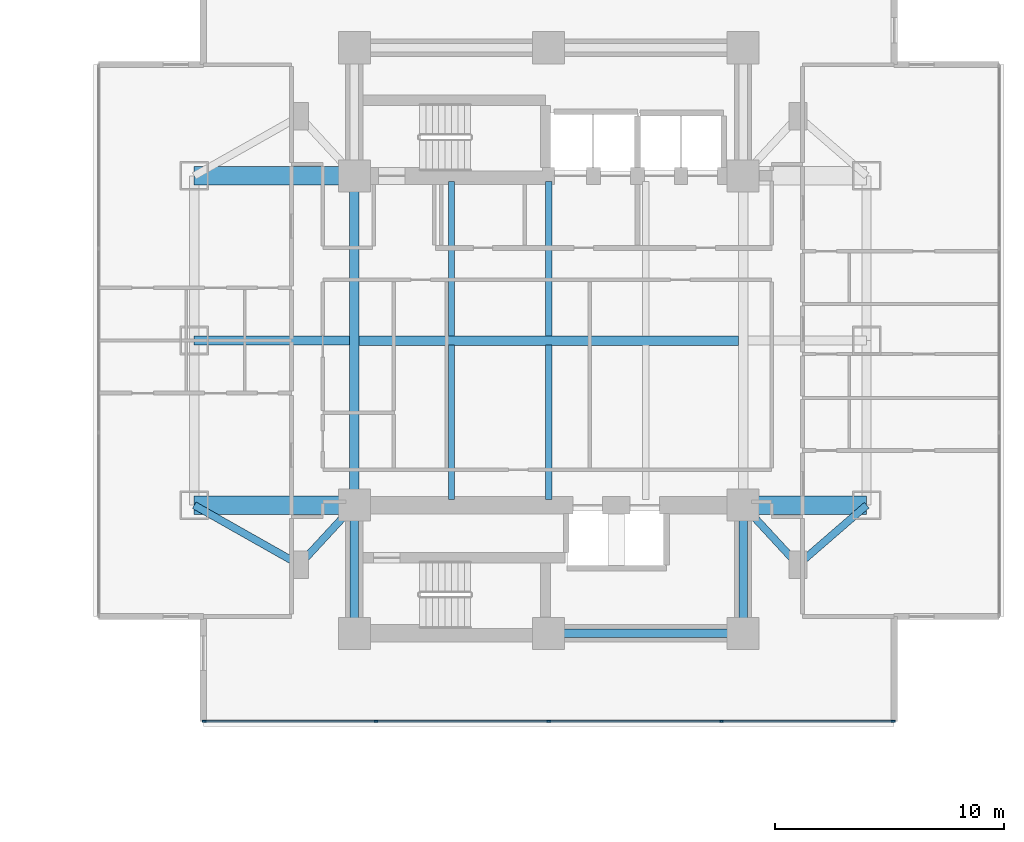
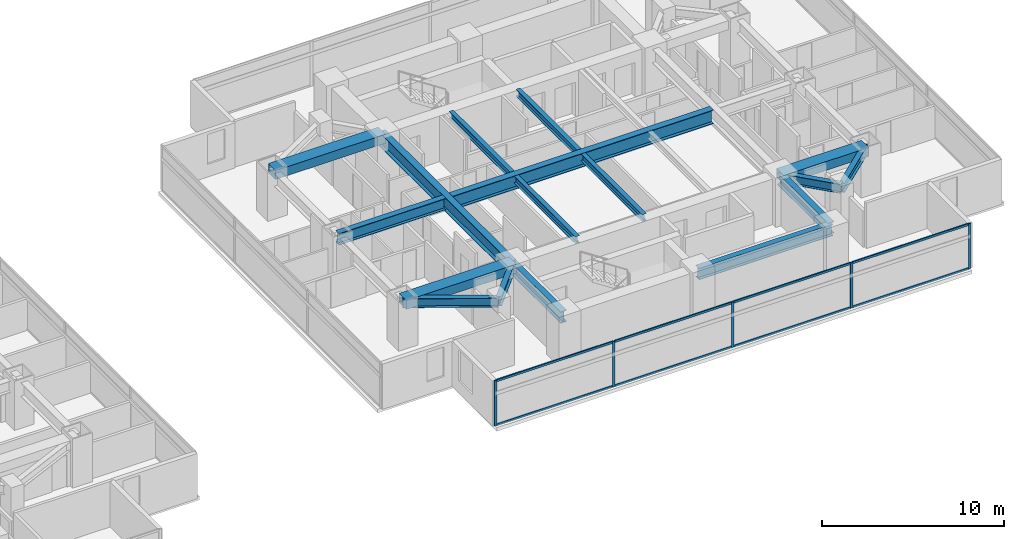
# One storey, part 9 of 26: 17 beams, 13 members, 1 element without a shape of its own.
"""IFC4 building model written with IfcOpenShell, lengths in metres."""

import ifcopenshell
import ifcopenshell.guid

model = None  # the IFC model being written
_history = None  # IfcOwnerHistory: only IFC2X3 demands one
_inside = {}  # id of a spatial element -> (the spatial element, [elements in it])
_under = {}  # id of a project, library or spatial element -> (it, [spatial elements below it])
_declared = {}  # id of a project -> (the project, [libraries it declares])
_typed = {}  # id of a type object -> (the type object, [elements of that type])
_made_of = {}  # id of a material, layer set ... -> (it, [elements and type objects made of it])


def new_model(schema):
    """Start an empty IFC model of exactly this schema.

    Asked for "IFC4X3", IfcOpenShell would pick the latest addendum, in which some entities
    have other attributes; the version numbers below select the first issue.
    IFC2X3 requires an IfcOwnerHistory on every rooted entity: one is made here for all.
    """
    global model, _history
    if schema == "IFC4X3":
        model = ifcopenshell.file(schema_version=(4, 3, 0, 0))
    else:
        model = ifcopenshell.file(schema=schema)
    _inside.clear()
    _under.clear()
    _declared.clear()
    _typed.clear()
    _made_of.clear()
    _history = None
    if model.schema == "IFC2X3":
        org = make("IfcOrganization", Name="unknown")
        user = make(
            "IfcPersonAndOrganization",
            ThePerson=make("IfcPerson", FamilyName="unknown"),
            TheOrganization=org,
        )
        app = make(
            "IfcApplication",
            ApplicationDeveloper=org,
            Version="unknown",
            ApplicationFullName="unknown",
            ApplicationIdentifier="unknown",
        )
        _history = make(
            "IfcOwnerHistory",
            OwningUser=user,
            OwningApplication=app,
            ChangeAction="ADDED",
            CreationDate=0,
        )
    return model


def make(cls, **values):
    """One entity of the class cls with the attributes given. An attribute that is None is left unset."""
    return model.create_entity(
        cls, **{name: value for name, value in values.items() if value is not None}
    )


def rooted(cls, **values):
    """An entity with a GlobalId (a new one), such as an element, a storey or a relation."""
    return make(cls, GlobalId=ifcopenshell.guid.new(), OwnerHistory=_history, **values)


def si_unit(unit_type, name, prefix=None):
    """IfcSIUnit, for example si_unit("LENGTHUNIT", "METRE", prefix="MILLI")."""
    return make("IfcSIUnit", UnitType=unit_type, Prefix=prefix, Name=name)


def assignment(units):
    """IfcUnitAssignment: the units of a project."""
    return None if units is None else make("IfcUnitAssignment", Units=units)


def point(xyz):
    """IfcCartesianPoint."""
    return None if xyz is None else make("IfcCartesianPoint", Coordinates=xyz)


def direction(xyz):
    """IfcDirection."""
    return None if xyz is None else make("IfcDirection", DirectionRatios=xyz)


def frame(location, z_axis=None, x_axis=None):
    """IfcAxis2Placement3D, a coordinate frame: its origin and axes. An axis left out is left unset."""
    return make(
        "IfcAxis2Placement3D",
        Location=point(location),
        Axis=direction(z_axis),
        RefDirection=direction(x_axis),
    )


def frame_2d(location, x_axis=None):
    """IfcAxis2Placement2D, a coordinate frame in the plane: its origin and x axis."""
    return make(
        "IfcAxis2Placement2D", Location=point(location), RefDirection=direction(x_axis)
    )


def origin():
    """The frame at (0, 0, 0) with its axes left unset."""
    return frame((0.0, 0.0, 0.0))


def origin_2d():
    """The frame at (0, 0) in the plane with its x axis left unset."""
    return frame_2d((0.0, 0.0))


def place(relative_to, where):
    """IfcLocalPlacement: puts the frame where relative to a parent placement (None: the world)."""
    return make(
        "IfcLocalPlacement", PlacementRelTo=relative_to, RelativePlacement=where
    )


def context(
    kind, dimensions, precision=None, world=None, true_north=None, identifier=None
):
    """IfcGeometricRepresentationContext, for example the 3D "Model" context."""
    return make(
        "IfcGeometricRepresentationContext",
        ContextIdentifier=identifier,
        ContextType=kind,
        CoordinateSpaceDimension=dimensions,
        Precision=precision,
        WorldCoordinateSystem=world,
        TrueNorth=true_north,
    )


def subcontext(parent, identifier, kind, view, scale=None):
    """IfcGeometricRepresentationSubContext, for example "Body" below "Model"."""
    return make(
        "IfcGeometricRepresentationSubContext",
        ContextIdentifier=identifier,
        ContextType=kind,
        ParentContext=parent,
        TargetScale=scale,
        TargetView=view,
    )


def project(units=None, contexts=None):
    """IfcProject with its units and contexts."""
    return rooted(
        "IfcProject",
        Name="project",
        RepresentationContexts=contexts,
        UnitsInContext=assignment(units),
    )


def spatial(cls, under=None, at=None, **own):
    """A site, building, storey or space (cls), placed at a placement, below another one or the project."""
    s = rooted(cls, ObjectPlacement=at, **own)
    if under is not None:
        _under.setdefault(under.id(), (under, []))[1].append(s)
    return s


def profile(cls, at=None, kind="AREA", **sizes):
    """A parametric profile (cls). Its sizes go by their IFC names, for example OverallWidth=200.0."""
    return make(cls, ProfileType=kind, Position=at, **sizes)


def rectangle(**sizes):
    """IfcRectangleProfileDef."""
    return profile("IfcRectangleProfileDef", **sizes)


def i_section(**sizes):
    """IfcIShapeProfileDef."""
    return profile("IfcIShapeProfileDef", **sizes)


def extrude(swept, where, along, depth):
    """IfcExtrudedAreaSolid: the profile swept, set in the frame where, extruded along a direction by depth."""
    return make(
        "IfcExtrudedAreaSolid",
        SweptArea=swept,
        Position=where,
        ExtrudedDirection=direction(along),
        Depth=depth,
    )


def shape(context_of_items, identifier, shape_type, items):
    """IfcShapeRepresentation: the items that make up one representation, for example the "Body"."""
    return make(
        "IfcShapeRepresentation",
        ContextOfItems=context_of_items,
        RepresentationIdentifier=identifier,
        RepresentationType=shape_type,
        Items=items,
    )


def material(Name=None, Category=None):
    """IfcMaterial."""
    return make("IfcMaterial", Name=Name, Category=Category)


def material_profile(
    of_material, cross_section, Name=None, Category=None, Priority=None
):
    """IfcMaterialProfile: a cross section and its material."""
    return make(
        "IfcMaterialProfile",
        Name=Name,
        Material=of_material,
        Profile=cross_section,
        Priority=Priority,
        Category=Category,
    )


def profile_set(profiles, Name=None, composite=None):
    """IfcMaterialProfileSet."""
    return make(
        "IfcMaterialProfileSet",
        Name=Name,
        MaterialProfiles=profiles,
        CompositeProfile=composite,
    )


def made_of(thing, what):
    """Note that an element or type object is made of a material, layer set ...; save() writes the relation."""
    if what is not None:
        _made_of.setdefault(what.id(), (what, []))[1].append(thing)
    return thing


def type_object(cls, material=None, **own):
    """A type object (cls), such as IfcWallType, which elements share."""
    return made_of(rooted(cls, **own), material)


def element(
    cls,
    number,
    at=None,
    inside=None,
    cuts=None,
    type_object=None,
    material=None,
    context=None,
    identifier="Body",
    shape_type=None,
    held_by="IfcProductDefinitionShape",
    body=None,
    shapes=None,
    **own,
):
    """One element of the class cls, such as IfcWall. Its Tag is "e" and its number.

    at: its placement. inside: the storey or other place that contains it. cuts: it is an
    opening in that element (IfcRelVoidsElement). A single representation is given by context,
    identifier, shape_type and body (its items); several are given by shapes. held_by: the class
    of the entity that holds the representations. save() writes the other relations.
    """
    e = rooted(cls, Tag="e%d" % number, ObjectPlacement=at, **own)
    if body is not None:
        shapes = [shape(context, identifier, shape_type, body)]
    if shapes is not None:
        e.Representation = make(held_by, Representations=shapes)
    if inside is not None:
        _inside.setdefault(inside.id(), (inside, []))[1].append(e)
    if cuts is not None:
        rooted(
            "IfcRelVoidsElement", RelatingBuildingElement=cuts, RelatedOpeningElement=e
        )
    if type_object is not None:
        _typed.setdefault(type_object.id(), (type_object, []))[1].append(e)
    return made_of(e, material)


def aggregate(whole, parts):
    """IfcRelAggregates: a whole, such as a stair, and the parts it consists of."""
    return rooted("IfcRelAggregates", RelatingObject=whole, RelatedObjects=parts)


def save(model, path):
    """Write the relations noted so far, then the file.

    IfcRelAggregates (storeys below a building ...), IfcRelContainedInSpatialStructure (elements
    in a storey), IfcRelDefinesByType, IfcRelAssociatesMaterial and IfcRelDeclares: one each for
    every whole, place, type object, material and project.
    """
    for whole, parts in _under.values():
        aggregate(whole, parts)
    for where, things in _inside.values():
        rooted(
            "IfcRelContainedInSpatialStructure",
            RelatedElements=things,
            RelatingStructure=where,
        )
    for kind, things in _typed.values():
        rooted("IfcRelDefinesByType", RelatedObjects=things, RelatingType=kind)
    for what, things in _made_of.values():
        rooted("IfcRelAssociatesMaterial", RelatedObjects=things, RelatingMaterial=what)
    for by, libraries in _declared.values():
        rooted("IfcRelDeclares", RelatingContext=by, RelatedDefinitions=libraries)
    model.write(path)


model = new_model("IFC4")

# Units and contexts
model_context = context("Model", 3, precision=1e-05, world=origin(), true_north=direction((0.0, 1.0)))
body_context = subcontext(model_context, "Body", "Model", "MODEL_VIEW")
ifc_project = project(units=[si_unit("LENGTHUNIT", "METRE"), si_unit("AREAUNIT", "SQUARE_METRE"), si_unit("VOLUMEUNIT", "CUBIC_METRE"), si_unit("PLANEANGLEUNIT", "RADIAN"), si_unit("MASSUNIT", "GRAM", prefix="KILO")], contexts=[model_context])

# Site, building, storey
site_placement = place(None, origin())
site = spatial("IfcSite", under=ifc_project, at=site_placement, CompositionType="ELEMENT")
building_placement = place(site_placement, origin())
building = spatial("IfcBuilding", under=site, at=building_placement, Name="Mirazonda Arch Towers", CompositionType="ELEMENT")
storey_placement = place(building_placement, frame((0.0, 0.0, 48.800048828125)))
storey = spatial("IfcBuildingStorey", under=building, at=storey_placement, Name="L13", CompositionType="ELEMENT", Elevation=48.800048828125)

# Beams
ifc_material_1 = material(Name="Steel ASTM A992 Grade 50", Category="steel")
ifc_material_profile_1 = material_profile(ifc_material_1, i_section(OverallWidth=0.280029296875, OverallDepth=0.462890625, WebThickness=0.0107421875, FlangeThickness=0.017333984375, at=origin_2d()), Name="W18X76")
ifc_profile_set_1 = profile_set([ifc_material_profile_1], Name="Steel ASTM A992 Grade 50")
beam_type_1 = type_object("IfcBeamType", Name="BM-INT-W18X76", PredefinedType="JOIST", material=ifc_profile_set_1)
for number, where, z_axis, x_axis, name in (
    (1, (72.25, 21.0400390625, 2.828369140625), (0.0, 1.0, 0.0), (-1.0, 0.0, 0.0), "L13 Floor Beam BM-T2-L13-J-722-20"),
    (2, (72.25, 28.205078125, 2.828369140625), (0.0, 1.0, 0.0), (-1.0, 0.0, 0.0), "L13 Floor Beam BM-T2-L13-J-722-28"),
    (3, (76.5, 21.0400390625, 2.828369140625), (0.0, 1.0, 0.0), (-1.0, 0.0, 0.0), "L13 Floor Beam BM-T2-L13-J-765-20"),
    (4, (76.5, 28.205078125, 2.828369140625), (0.0, 1.0, 0.0), (-1.0, 0.0, 0.0), "L13 Floor Beam BM-T2-L13-J-765-28"),
):
    element("IfcBeam", number, at=place(storey_placement, frame(where, z_axis=z_axis, x_axis=x_axis)), inside=storey, type_object=beam_type_1, Name=name, PredefinedType="JOIST", context=body_context, shape_type="SweptSolid", body=[
        extrude(i_section(OverallWidth=0.280029296875, OverallDepth=0.462890625, WebThickness=0.0107421875, FlangeThickness=0.017333984375, at=origin_2d()), origin(), (0.0, 0.0, 1.0), 6.7548828125),
    ])
ifc_material_profile_2 = material_profile(ifc_material_1, i_section(OverallWidth=0.324951171875, OverallDepth=0.615966796875, WebThickness=0.013916015625, FlangeThickness=0.021484375, at=origin_2d()), Name="W24X117")
ifc_profile_set_2 = profile_set([ifc_material_profile_2], Name="Steel ASTM A992 Grade 50")
beam_type_2 = type_object("IfcBeamType", Name="BM-INT-W24X117", PredefinedType="BEAM", material=ifc_profile_set_2)
beam_1_placement = place(storey_placement, frame((65.60009765625, 18.199951171875, 2.751953125), z_axis=(0.678251444854, 0.734829897019, 0.0), x_axis=(-0.734829897019, 0.678251444854, 0.0)))
element("IfcBeam", 5, at=beam_1_placement, inside=storey, type_object=beam_type_2, Name="L13 Floor Beam BM-T2-L13-PL-SW1", PredefinedType="BEAM", context=body_context, shape_type="SweptSolid", body=[
    extrude(i_section(OverallWidth=0.324951171875, OverallDepth=0.615966796875, WebThickness=0.013916015625, FlangeThickness=0.021484375, at=origin_2d()), origin(), (0.0, 0.0, 1.0), 3.538330078125),
])
beam_2_placement = place(storey_placement, frame((65.60009765625, 18.199951171875, 2.751953125), z_axis=(-0.870559396632, 0.492063346467, 0.0), x_axis=(-0.492063346467, -0.870559396632, 0.0)))
element("IfcBeam", 6, at=beam_2_placement, inside=storey, type_object=beam_type_2, Name="L13 Floor Beam BM-T2-L13-PL-SW2", PredefinedType="BEAM", context=body_context, shape_type="SweptSolid", body=[
    extrude(i_section(OverallWidth=0.324951171875, OverallDepth=0.615966796875, WebThickness=0.013916015625, FlangeThickness=0.021484375, at=origin_2d()), origin(), (0.0, 0.0, 1.0), 5.2841796875),
])
beam_3_placement = place(storey_placement, frame((87.39990234375, 18.199951171875, 2.751953125), z_axis=(-0.678251444854, 0.734829897019, 0.0), x_axis=(-0.734829897019, -0.678251444854, 0.0)))
element("IfcBeam", 7, at=beam_3_placement, inside=storey, type_object=beam_type_2, Name="L13 Floor Beam BM-T2-L13-PL-SE1", PredefinedType="BEAM", context=body_context, shape_type="SweptSolid", body=[
    extrude(i_section(OverallWidth=0.324951171875, OverallDepth=0.615966796875, WebThickness=0.013916015625, FlangeThickness=0.021484375, at=origin_2d()), origin(), (0.0, 0.0, 1.0), 3.538330078125),
])
beam_4_placement = place(storey_placement, frame((87.39990234375, 18.199951171875, 2.751953125), z_axis=(0.755676908098, 0.654944585876, 0.0), x_axis=(-0.654944585876, 0.755676908098, 0.0)))
element("IfcBeam", 8, at=beam_4_placement, inside=storey, type_object=beam_type_2, Name="L13 Floor Beam BM-T2-L13-PL-SE2", PredefinedType="BEAM", context=body_context, shape_type="SweptSolid", body=[
    extrude(i_section(OverallWidth=0.324951171875, OverallDepth=0.615966796875, WebThickness=0.013916015625, FlangeThickness=0.021484375, at=origin_2d()), origin(), (0.0, 0.0, 1.0), 3.969970703125),
])
ifc_material_profile_3 = material_profile(ifc_material_1, i_section(OverallWidth=0.381103515625, OverallDepth=0.77294921875, WebThickness=0.0166015625, FlangeThickness=0.027099609375, at=origin_2d()), Name="W30X173")
ifc_profile_set_3 = profile_set([ifc_material_profile_3], Name="Steel ASTM A992 Grade 50")
beam_type_3 = type_object("IfcBeamType", Name="BM-INT-W30X173", PredefinedType="USERDEFINED", material=ifc_profile_set_3)
beam_5_placement = place(storey_placement, frame((76.5, 15.199951171875, 2.67333984375), z_axis=(1.0, 0.0, 0.0), x_axis=(0.0, 1.0, 0.0)))
element("IfcBeam", 9, at=beam_5_placement, inside=storey, type_object=beam_type_3, Name="L13 Floor Beam BM-T2-L13-CS2", ObjectType="GIRDER", PredefinedType="USERDEFINED", context=body_context, shape_type="SweptSolid", body=[
    extrude(i_section(OverallWidth=0.381103515625, OverallDepth=0.77294921875, WebThickness=0.0166015625, FlangeThickness=0.027099609375, at=origin_2d()), origin(), (0.0, 0.0, 1.0), 8.5),
])
for number, where, z_axis, x_axis, name in (
    (10, (68.0, 15.199951171875, 2.67333984375), (0.0, 1.0, 0.0), (-1.0, 0.0, 0.0), "L13 Floor Beam BM-T2-L13-CSW"),
    (11, (85.0, 15.199951171875, 2.67333984375), (0.0, 1.0, 0.0), (-1.0, 0.0, 0.0), "L13 Floor Beam BM-T2-L13-CSE"),
):
    element("IfcBeam", number, at=place(storey_placement, frame(where, z_axis=z_axis, x_axis=x_axis)), inside=storey, type_object=beam_type_3, Name=name, ObjectType="GIRDER", PredefinedType="USERDEFINED", context=body_context, shape_type="SweptSolid", body=[
        extrude(i_section(OverallWidth=0.381103515625, OverallDepth=0.77294921875, WebThickness=0.0166015625, FlangeThickness=0.027099609375, at=origin_2d()), origin(), (0.0, 0.0, 1.0), 5.60009765625),
    ])
beam_6_placement = place(storey_placement, frame((61.0, 28.0, 2.67333984375), z_axis=(1.0, 0.0, 0.0), x_axis=(0.0, 1.0, 0.0)))
element("IfcBeam", 12, at=beam_6_placement, inside=storey, type_object=beam_type_3, Name="L13 Floor Beam BM-T2-L13-GW2", ObjectType="GIRDER", PredefinedType="USERDEFINED", context=body_context, shape_type="SweptSolid", body=[
    extrude(i_section(OverallWidth=0.381103515625, OverallDepth=0.77294921875, WebThickness=0.0166015625, FlangeThickness=0.027099609375, at=origin_2d()), origin(), (0.0, 0.0, 1.0), 6.791015625),
])
ifc_material_profile_4 = material_profile(ifc_material_1, i_section(OverallWidth=0.41796875, OverallDepth=0.927001953125, WebThickness=0.019287109375, FlangeThickness=0.031982421875, at=origin_2d()), Name="W36X231")
ifc_profile_set_4 = profile_set([ifc_material_profile_4], Name="Steel ASTM A992 Grade 50")
beam_type_4 = type_object("IfcBeamType", Name="BM-INT-W36X231", PredefinedType="USERDEFINED", material=ifc_profile_set_4)
beam_7_placement = place(storey_placement, frame((68.208984375, 28.0, 2.596435546875), z_axis=(1.0, 0.0, 0.0), x_axis=(0.0, 1.0, 0.0)))
element("IfcBeam", 13, at=beam_7_placement, inside=storey, type_object=beam_type_4, Name="L13 Floor Beam BM-T2-L13-GC2", ObjectType="GIRDER", PredefinedType="USERDEFINED", context=body_context, shape_type="SweptSolid", body=[
    extrude(i_section(OverallWidth=0.41796875, OverallDepth=0.927001953125, WebThickness=0.019287109375, FlangeThickness=0.031982421875, at=origin_2d()), origin(), (0.0, 0.0, 1.0), 16.58203125),
])
beam_8_placement = place(storey_placement, frame((68.0, 20.800048828125, 2.596435546875), z_axis=(0.0, 1.0, 0.0), x_axis=(-1.0, 0.0, 0.0)))
element("IfcBeam", 14, at=beam_8_placement, inside=storey, type_object=beam_type_4, Name="L13 Floor Beam BM-T2-L13-NS-CW-FULL", ObjectType="GIRDER", PredefinedType="USERDEFINED", context=body_context, shape_type="SweptSolid", body=[
    extrude(i_section(OverallWidth=0.41796875, OverallDepth=0.927001953125, WebThickness=0.019287109375, FlangeThickness=0.031982421875, at=origin_2d()), origin(), (0.0, 0.0, 1.0), 14.39990234375),
])
ifc_material_2 = material(Name="Concrete C60/75", Category="concrete")
ifc_material_profile_5 = material_profile(ifc_material_2, rectangle(XDim=0.800048828125, YDim=0.60009765625, at=origin_2d()), Name="RCCB800x600")
ifc_profile_set_5 = profile_set([ifc_material_profile_5], Name="Concrete C60/75")
beam_type_5 = type_object("IfcBeamType", Name="CB-INT-RCCB800x600", PredefinedType="SPANDREL", material=ifc_profile_set_5)
for number, where, z_axis, x_axis, name in (
    (15, (61.0, 35.199951171875, 2.760009765625), (1.0, 0.0, 0.0), (0.0, 1.0, 0.0), "L13 Floor Beam CBC-T2-L13-NW"),
    (16, (61.0, 20.800048828125, 2.760009765625), (1.0, 0.0, 0.0), (0.0, 1.0, 0.0), "L13 Floor Beam CBC-T2-L13-SW"),
):
    element("IfcBeam", number, at=place(storey_placement, frame(where, z_axis=z_axis, x_axis=x_axis)), inside=storey, type_object=beam_type_5, Name=name, PredefinedType="SPANDREL", context=body_context, shape_type="SweptSolid", body=[
        extrude(rectangle(XDim=0.800048828125, YDim=0.60009765625, at=origin_2d()), origin(), (0.0, 0.0, 1.0), 7.0),
    ])
beam_9_placement = place(storey_placement, frame((85.0, 20.800048828125, 2.760009765625), z_axis=(1.0, 0.0, 0.0), x_axis=(0.0, 1.0, 0.0)))
element("IfcBeam", 17, at=beam_9_placement, inside=storey, type_object=beam_type_5, Name="L13 Floor Beam CBC-T2-L13-SE", PredefinedType="SPANDREL", context=body_context, shape_type="SweptSolid", body=[
    extrude(rectangle(XDim=0.800048828125, YDim=0.60009765625, at=origin_2d()), origin(), (0.0, 0.0, 1.0), 5.39990234375),
])

# Curtain wall, members
ifc_material_3 = material(Name="Anodised Aluminium and Low-E Glass", Category="aluminium")
curtain_wall_type = type_object("IfcCurtainWallType", Name="CW-HTL-UNIT", PredefinedType="NOTDEFINED", material=ifc_material_3)
curtain_wall_placement = place(storey_placement, origin())
curtain_wall = element("IfcCurtainWall", 18, at=curtain_wall_placement, inside=storey, type_object=curtain_wall_type, Name="L13 T2 S Facade CW-L13-T2-S", PredefinedType="NOTDEFINED")
ifc_material_4 = material(Name="Anodised Aluminium Alloy", Category="aluminium")
ifc_material_profile_6 = material_profile(ifc_material_4, rectangle(XDim=0.074951171875, YDim=0.1650390625, at=origin_2d()), Name="ALU-MULL-75x165")
ifc_profile_set_6 = profile_set([ifc_material_profile_6], Name="Anodised Aluminium Alloy")
member_type_1 = type_object("IfcMemberType", Name="MULL-CW-HTL-UNIT", PredefinedType="MULLION", material=ifc_profile_set_6)
member_1_placement = place(storey_placement, frame((91.56640625, 11.353515625, 0.0), z_axis=(0.0, 0.0, 1.0), x_axis=(0.0, -1.0, 0.0)))
member_1 = element("IfcMember", 19, at=member_1_placement, type_object=member_type_1, Name="CW-112 mullion 1", PredefinedType="MULLION", context=body_context, shape_type="SweptSolid", body=[
    extrude(rectangle(XDim=0.074951171875, YDim=0.1650390625, at=origin_2d()), origin(), (0.0, 0.0, 1.0), 3.0400390625),
])
member_2_placement = place(storey_placement, frame((84.052001953125, 11.353515625, 0.0), z_axis=(0.0, 0.0, 1.0), x_axis=(0.0, -1.0, 0.0)))
member_2 = element("IfcMember", 20, at=member_2_placement, type_object=member_type_1, Name="CW-112 mullion 2", PredefinedType="MULLION", context=body_context, shape_type="SweptSolid", body=[
    extrude(rectangle(XDim=0.074951171875, YDim=0.1650390625, at=origin_2d()), origin(), (0.0, 0.0, 1.0), 3.0400390625),
])
member_3_placement = place(storey_placement, frame((76.5, 11.353515625, 0.0), z_axis=(0.0, 0.0, 1.0), x_axis=(0.0, -1.0, 0.0)))
member_3 = element("IfcMember", 21, at=member_3_placement, type_object=member_type_1, Name="CW-112 mullion 3", PredefinedType="MULLION", context=body_context, shape_type="SweptSolid", body=[
    extrude(rectangle(XDim=0.074951171875, YDim=0.1650390625, at=origin_2d()), origin(), (0.0, 0.0, 1.0), 3.0400390625),
])
member_4_placement = place(storey_placement, frame((68.947998046875, 11.353515625, 0.0), z_axis=(0.0, 0.0, 1.0), x_axis=(0.0, -1.0, 0.0)))
member_4 = element("IfcMember", 22, at=member_4_placement, type_object=member_type_1, Name="CW-112 mullion 4", PredefinedType="MULLION", context=body_context, shape_type="SweptSolid", body=[
    extrude(rectangle(XDim=0.074951171875, YDim=0.1650390625, at=origin_2d()), origin(), (0.0, 0.0, 1.0), 3.0400390625),
])
member_5_placement = place(storey_placement, frame((61.43359375, 11.353515625, 0.0), z_axis=(0.0, 0.0, 1.0), x_axis=(0.0, -1.0, 0.0)))
member_5 = element("IfcMember", 23, at=member_5_placement, type_object=member_type_1, Name="CW-112 mullion 5", PredefinedType="MULLION", context=body_context, shape_type="SweptSolid", body=[
    extrude(rectangle(XDim=0.074951171875, YDim=0.1650390625, at=origin_2d()), origin(), (0.0, 0.0, 1.0), 3.0400390625),
])
ifc_material_profile_7 = material_profile(ifc_material_4, rectangle(XDim=0.074951171875, YDim=0.14501953125, at=origin_2d()), Name="ALU-TRAN-75x145")
ifc_profile_set_7 = profile_set([ifc_material_profile_7], Name="Anodised Aluminium Alloy")
member_type_2 = type_object("IfcMemberType", Name="TRAN-CW-HTL-UNIT", PredefinedType="USERDEFINED", material=ifc_profile_set_7)
member_6_placement = place(storey_placement, frame((91.529052734375, 11.353515625, 0.037353515625), z_axis=(-1.0, 0.0, 0.0), x_axis=(0.0, -1.0, 0.0)))
member_6 = element("IfcMember", 24, at=member_6_placement, type_object=member_type_2, Name="CW-112 transom 1.1", ObjectType="TRANSOM", PredefinedType="USERDEFINED", context=body_context, shape_type="SweptSolid", body=[
    extrude(rectangle(XDim=0.074951171875, YDim=0.14501953125, at=origin_2d()), origin(), (0.0, 0.0, 1.0), 7.439453125),
])
member_7_placement = place(storey_placement, frame((91.529052734375, 11.353515625, 3.00244140625), z_axis=(-1.0, 0.0, 0.0), x_axis=(0.0, -1.0, 0.0)))
member_7 = element("IfcMember", 25, at=member_7_placement, type_object=member_type_2, Name="CW-112 transom 1.2", ObjectType="TRANSOM", PredefinedType="USERDEFINED", context=body_context, shape_type="SweptSolid", body=[
    extrude(rectangle(XDim=0.074951171875, YDim=0.14501953125, at=origin_2d()), origin(), (0.0, 0.0, 1.0), 7.439453125),
])
member_8_placement = place(storey_placement, frame((84.014404296875, 11.353515625, 0.037353515625), z_axis=(-1.0, 0.0, 0.0), x_axis=(0.0, -1.0, 0.0)))
member_8 = element("IfcMember", 26, at=member_8_placement, type_object=member_type_2, Name="CW-112 transom 2.1", ObjectType="TRANSOM", PredefinedType="USERDEFINED", context=body_context, shape_type="SweptSolid", body=[
    extrude(rectangle(XDim=0.074951171875, YDim=0.14501953125, at=origin_2d()), origin(), (0.0, 0.0, 1.0), 7.476806640625),
])
member_9_placement = place(storey_placement, frame((84.014404296875, 11.353515625, 3.00244140625), z_axis=(-1.0, 0.0, 0.0), x_axis=(0.0, -1.0, 0.0)))
member_9 = element("IfcMember", 27, at=member_9_placement, type_object=member_type_2, Name="CW-112 transom 2.2", ObjectType="TRANSOM", PredefinedType="USERDEFINED", context=body_context, shape_type="SweptSolid", body=[
    extrude(rectangle(XDim=0.074951171875, YDim=0.14501953125, at=origin_2d()), origin(), (0.0, 0.0, 1.0), 7.476806640625),
])
member_10_placement = place(storey_placement, frame((76.46240234375, 11.353515625, 0.037353515625), z_axis=(-1.0, 0.0, 0.0), x_axis=(0.0, -1.0, 0.0)))
member_10 = element("IfcMember", 28, at=member_10_placement, type_object=member_type_2, Name="CW-112 transom 3.1", ObjectType="TRANSOM", PredefinedType="USERDEFINED", context=body_context, shape_type="SweptSolid", body=[
    extrude(rectangle(XDim=0.074951171875, YDim=0.14501953125, at=origin_2d()), origin(), (0.0, 0.0, 1.0), 7.476806640625),
])
member_11_placement = place(storey_placement, frame((76.46240234375, 11.353515625, 3.00244140625), z_axis=(-1.0, 0.0, 0.0), x_axis=(0.0, -1.0, 0.0)))
member_11 = element("IfcMember", 29, at=member_11_placement, type_object=member_type_2, Name="CW-112 transom 3.2", ObjectType="TRANSOM", PredefinedType="USERDEFINED", context=body_context, shape_type="SweptSolid", body=[
    extrude(rectangle(XDim=0.074951171875, YDim=0.14501953125, at=origin_2d()), origin(), (0.0, 0.0, 1.0), 7.476806640625),
])
member_12_placement = place(storey_placement, frame((68.910400390625, 11.353515625, 0.037353515625), z_axis=(-1.0, 0.0, 0.0), x_axis=(0.0, -1.0, 0.0)))
member_12 = element("IfcMember", 30, at=member_12_placement, type_object=member_type_2, Name="CW-112 transom 4.1", ObjectType="TRANSOM", PredefinedType="USERDEFINED", context=body_context, shape_type="SweptSolid", body=[
    extrude(rectangle(XDim=0.074951171875, YDim=0.14501953125, at=origin_2d()), origin(), (0.0, 0.0, 1.0), 7.439453125),
])
member_13_placement = place(storey_placement, frame((68.910400390625, 11.353515625, 3.00244140625), z_axis=(-1.0, 0.0, 0.0), x_axis=(0.0, -1.0, 0.0)))
member_13 = element("IfcMember", 31, at=member_13_placement, type_object=member_type_2, Name="CW-112 transom 4.2", ObjectType="TRANSOM", PredefinedType="USERDEFINED", context=body_context, shape_type="SweptSolid", body=[
    extrude(rectangle(XDim=0.074951171875, YDim=0.14501953125, at=origin_2d()), origin(), (0.0, 0.0, 1.0), 7.439453125),
])
aggregate(curtain_wall, [member_1, member_2, member_3, member_4, member_5, member_6, member_7, member_8, member_9, member_10, member_11, member_12, member_13])

save(model, "model.ifc")
